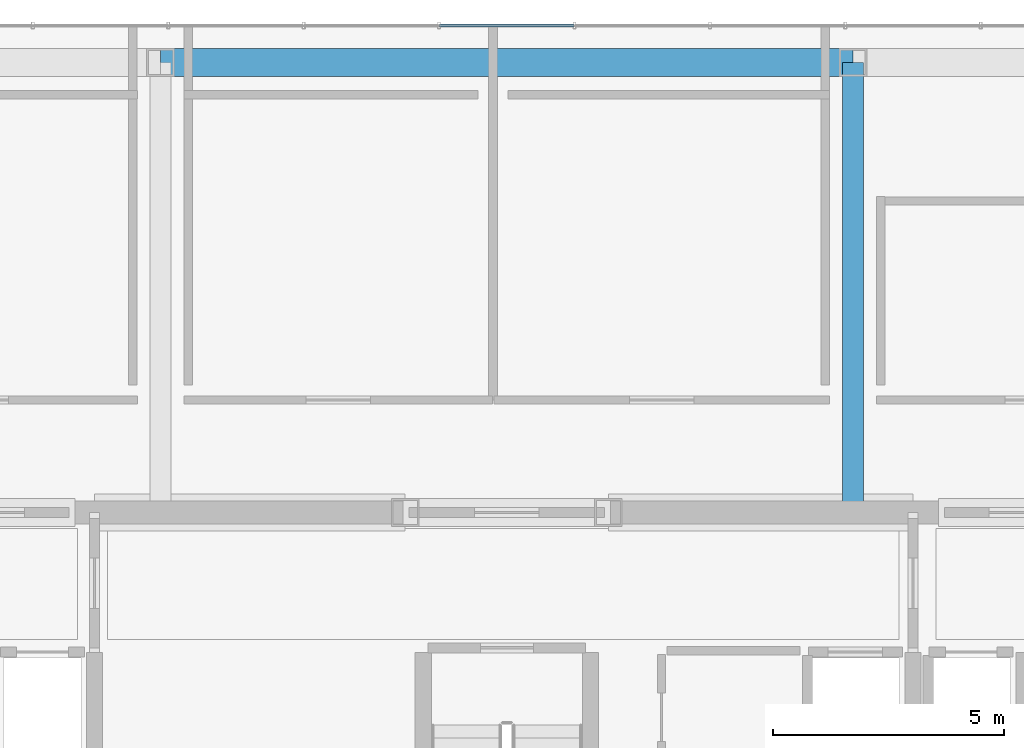
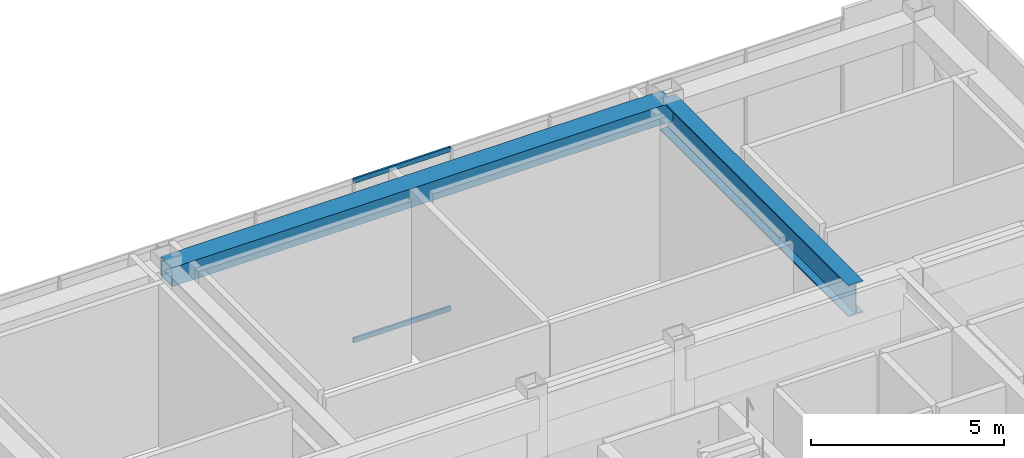
# One storey, part 4 of 10: 2 beams, 2 members, 1 element without a shape of its own.
"""IFC4 building model written with IfcOpenShell, lengths in metres."""

from ifc_helpers import new_model, si_unit, direction, frame, origin, origin_2d, place, context, subcontext, project, spatial, hollow_rectangle, i_section, extrude, material, material_profile, profile_set, type_object, element, aggregate, save


model = new_model("IFC4")

# Units and contexts
model_context = context("Model", 3, precision=1e-05, world=origin(), true_north=direction((0.0, 1.0)))
body_context = subcontext(model_context, "Body", "Model", "MODEL_VIEW")
ifc_project = project(units=[si_unit("LENGTHUNIT", "METRE"), si_unit("AREAUNIT", "SQUARE_METRE"), si_unit("VOLUMEUNIT", "CUBIC_METRE"), si_unit("PLANEANGLEUNIT", "RADIAN"), si_unit("MASSUNIT", "GRAM", prefix="KILO")], contexts=[model_context])

# Site, building, storey
site_placement = place(None, origin())
site = spatial("IfcSite", under=ifc_project, at=site_placement, CompositionType="ELEMENT")
building_placement = place(site_placement, origin())
building = spatial("IfcBuilding", under=site, at=building_placement, Name="Ventersveld Concourse Tower", CompositionType="ELEMENT")
storey_placement = place(building_placement, frame((0.0, 0.0, 382.85009765625)))
storey = spatial("IfcBuildingStorey", under=building, at=storey_placement, Name="L93", CompositionType="ELEMENT", Elevation=382.85009765625)

# Curtain wall, members
ifc_material_1 = material(Name="Anodised aluminium EN AW-6063-T6", Category="aluminium")
curtain_wall_type = type_object("IfcCurtainWallType", Name="CW-CRN-6", PredefinedType="NOTDEFINED", material=ifc_material_1)
curtain_wall_placement = place(storey_placement, origin())
curtain_wall = element("IfcCurtainWall", 1, at=curtain_wall_placement, inside=storey, type_object=curtain_wall_type, Name="L93 L93 Crown North Glazed Curtain Wall", PredefinedType="NOTDEFINED")
ifc_material_profile_1 = material_profile(ifc_material_1, hollow_rectangle(XDim=0.06005859375, YDim=0.14990234375, WallThickness=0.00390625, at=origin_2d()), Name="ALU 150x60x4")
ifc_profile_set_1 = profile_set([ifc_material_profile_1], Name="Anodised aluminium EN AW-6063-T6")
member_type = type_object("IfcMemberType", Name="CWT-150x60", PredefinedType="USERDEFINED", material=ifc_profile_set_1)
member_1_placement = place(storey_placement, frame((30.206787109375, 22.0, 0.02978515625), z_axis=(-1.0, 0.0, 0.0), x_axis=(0.0, -1.0, 0.0)))
member_1 = element("IfcMember", 2, at=member_1_placement, type_object=member_type, Name="CW-L93-N Transom 1-05", ObjectType="TRANSOM", PredefinedType="USERDEFINED", context=body_context, shape_type="SweptSolid", body=[
    extrude(hollow_rectangle(XDim=0.06005859375, YDim=0.14990234375, WallThickness=0.00390625, at=origin_2d()), origin(), (0.0, 0.0, 1.0), 2.91357421875),
])
member_2_placement = place(storey_placement, frame((30.206787109375, 22.0, 5.06982421875), z_axis=(-1.0, 0.0, 0.0), x_axis=(0.0, -1.0, 0.0)))
member_2 = element("IfcMember", 3, at=member_2_placement, type_object=member_type, Name="CW-L93-N Transom 2-05", ObjectType="TRANSOM", PredefinedType="USERDEFINED", context=body_context, shape_type="SweptSolid", body=[
    extrude(hollow_rectangle(XDim=0.06005859375, YDim=0.14990234375, WallThickness=0.00390625, at=origin_2d()), origin(), (0.0, 0.0, 1.0), 2.91357421875),
])
aggregate(curtain_wall, [member_1, member_2])

# Beams
ifc_material_2 = material(Name="Structural steel S355ML", Category="steel")
ifc_material_profile_2 = material_profile(ifc_material_2, hollow_rectangle(XDim=0.60009765625, YDim=0.60009765625, WallThickness=0.0400390625, at=origin_2d()), Name="BOX 600x600x40")
ifc_profile_set_2 = profile_set([ifc_material_profile_2], Name="Structural steel S355ML")
beam_type_1 = type_object("IfcBeamType", Name="SPD-BOX600", PredefinedType="SPANDREL", material=ifc_profile_set_2)
beam_1_placement = place(storey_placement, frame((36.25, 21.199951171875, 4.7998046875), z_axis=(-1.0, 0.0, 0.0), x_axis=(0.0, -1.0, 0.0)))
element("IfcBeam", 4, at=beam_1_placement, inside=storey, type_object=beam_type_1, Name="L93 CROWN FRAME Perimeter Ring Beam 5", PredefinedType="SPANDREL", context=body_context, shape_type="SweptSolid", body=[
    extrude(hollow_rectangle(XDim=0.60009765625, YDim=0.60009765625, WallThickness=0.0400390625, at=origin_2d()), origin(), (0.0, 0.0, 1.0), 15.0),
])
ifc_material_3 = material(Name="Structural steel S460ML", Category="steel")
ifc_material_profile_3 = material_profile(ifc_material_3, i_section(OverallWidth=0.449951171875, OverallDepth=1.0, WebThickness=0.02392578125, FlangeThickness=0.0400390625, at=origin_2d()), Name="PG 1000x450x40")
ifc_profile_set_3 = profile_set([ifc_material_profile_3], Name="Structural steel S460ML")
beam_type_2 = type_object("IfcBeamType", Name="TG-PG1000", PredefinedType="USERDEFINED", material=ifc_profile_set_3)
beam_2_placement = place(storey_placement, frame((36.25, 11.449951171875, 4.599853515625), z_axis=(0.0, 1.0, 0.0), x_axis=(-1.0, 0.0, 0.0)))
element("IfcBeam", 5, at=beam_2_placement, inside=storey, type_object=beam_type_2, Name="L93 Crown Interior Girder E", ObjectType="TRANSFER_GIRDER", PredefinedType="USERDEFINED", context=body_context, shape_type="SweptSolid", body=[
    extrude(i_section(OverallWidth=0.449951171875, OverallDepth=1.0, WebThickness=0.02392578125, FlangeThickness=0.0400390625, at=origin_2d()), origin(), (0.0, 0.0, 1.0), 9.75),
])

save(model, "model.ifc")
